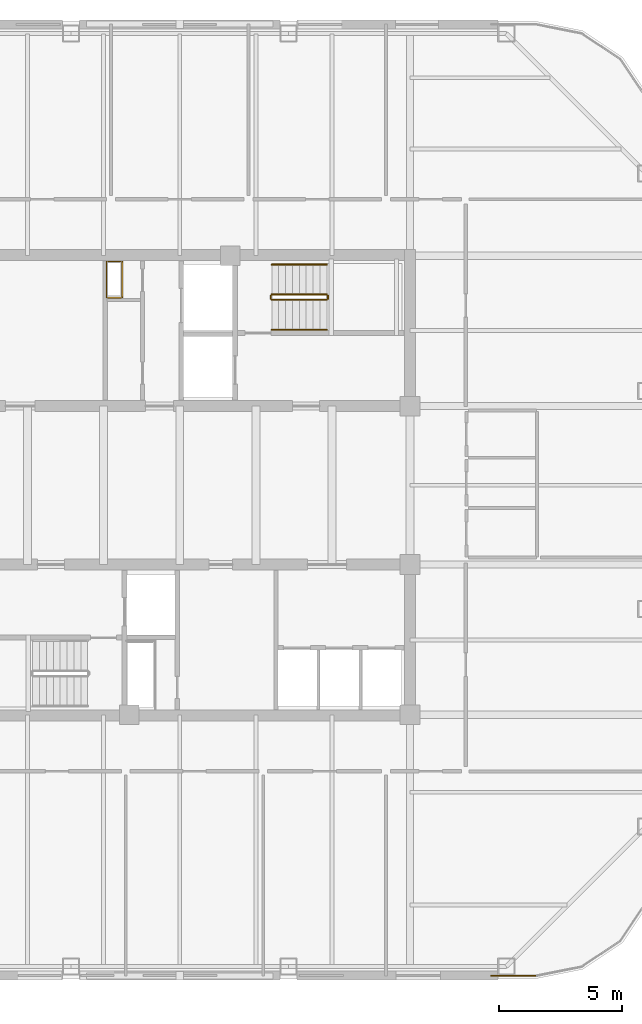
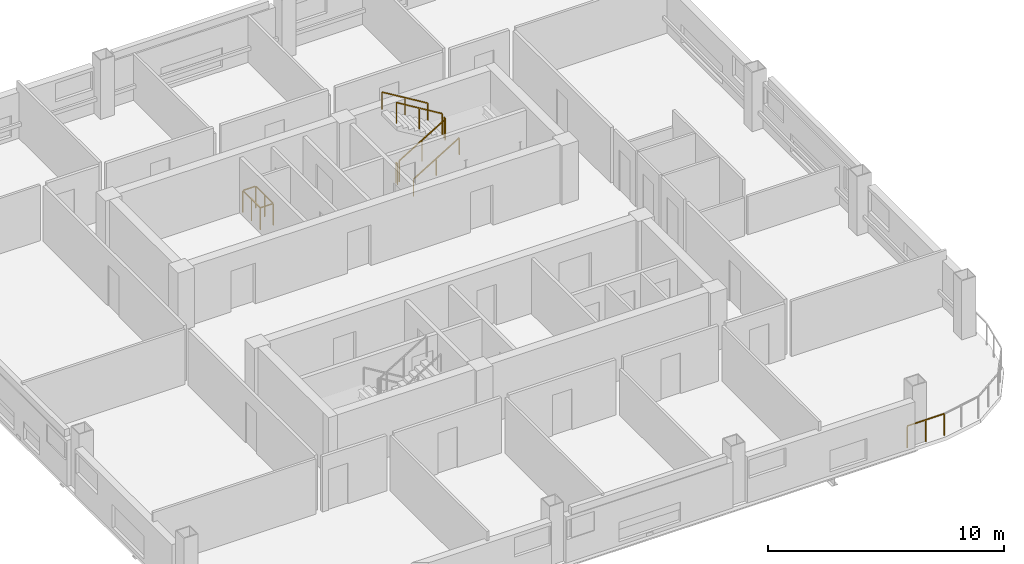
# One storey, part 7 of 8: 8 railings.
"""IFC4 building model written with IfcOpenShell, lengths in metres."""

from ifc_helpers import new_model, si_unit, direction, frame, origin, origin_2d, place, context, subcontext, project, spatial, rectangle, extrude, material, type_object, element, save


model = new_model("IFC4")

# Units and contexts
model_context = context("Model", 3, precision=1e-05, world=origin(), true_north=direction((0.0, 1.0)))
body_context = subcontext(model_context, "Body", "Model", "MODEL_VIEW")
ifc_project = project(units=[si_unit("LENGTHUNIT", "METRE"), si_unit("AREAUNIT", "SQUARE_METRE"), si_unit("VOLUMEUNIT", "CUBIC_METRE"), si_unit("PLANEANGLEUNIT", "RADIAN"), si_unit("MASSUNIT", "GRAM", prefix="KILO")], contexts=[model_context])

# Site, building, storey
site_placement = place(None, origin())
site = spatial("IfcSite", under=ifc_project, at=site_placement, CompositionType="ELEMENT")
building_placement = place(site_placement, origin())
building = spatial("IfcBuilding", under=site, at=building_placement, Name="Qhalaya Broadcast Tower", CompositionType="ELEMENT")
storey_placement = place(building_placement, frame((0.0, 0.0, 208.64990234375)))
storey = spatial("IfcBuildingStorey", under=building, at=storey_placement, Name="L61", CompositionType="ELEMENT", Elevation=208.64990234375)

# Railings
ifc_material = material(Name="Powder-Coated Galvanised Steel", Category="steel")
railing_type_1 = type_object("IfcRailingType", Name="Stair Wall Handrail 900", PredefinedType="HANDRAIL", material=ifc_material)
railing_1_placement = place(storey_placement, frame((3.75, 6.929931640625, 0.16943359375)))
element("IfcRailing", 1, at=railing_1_placement, inside=storey, type_object=railing_type_1, Name="L61 ST-1 Stair Handrail 1", PredefinedType="HANDRAIL", context=body_context, shape_type="SweptSolid", body=[
    extrude(rectangle(XDim=0.048095703125, YDim=0.048095703125, at=origin_2d()), frame((0.0, 0.0, 0.8759765625), z_axis=(0.855512035549, 0.0, 0.517782924622), x_axis=(0.0, 1.0, 0.0)), (0.0, 0.0, 1.0), 2.618408203125),
    extrude(rectangle(XDim=0.0419921875, YDim=0.0419921875, at=origin_2d()), origin(), (0.0, 0.0, 1.0), 0.849853515625),
    extrude(rectangle(XDim=0.0419921875, YDim=0.0419921875, at=origin_2d()), frame((1.1201171875, 0.0, 0.677734375)), (0.0, 0.0, 1.0), 0.849853515625),
    extrude(rectangle(XDim=0.0419921875, YDim=0.0419921875, at=origin_2d()), frame((2.239990234375, 0.0, 1.355712890625)), (0.0, 0.0, 1.0), 0.849853515625),
])
railing_2_placement = place(storey_placement, frame((5.989990234375, 9.590087890625, 1.694580078125)))
element("IfcRailing", 2, at=railing_2_placement, inside=storey, type_object=railing_type_1, Name="L61 ST-1 Stair Handrail 2", PredefinedType="HANDRAIL", context=body_context, shape_type="SweptSolid", body=[
    extrude(rectangle(XDim=0.048095703125, YDim=0.048095703125, at=origin_2d()), frame((0.0, 0.0, 0.8759765625), z_axis=(-0.855553338991, 0.0, 0.51771467445), x_axis=(0.0, -1.0, 0.0)), (0.0, 0.0, 1.0), 2.6181640625),
    extrude(rectangle(XDim=0.0419921875, YDim=0.0419921875, at=origin_2d()), origin(), (0.0, 0.0, 1.0), 0.849853515625),
    extrude(rectangle(XDim=0.0419921875, YDim=0.0419921875, at=origin_2d()), frame((-1.1201171875, 0.0, 0.677734375)), (0.0, 0.0, 1.0), 0.849853515625),
    extrude(rectangle(XDim=0.0419921875, YDim=0.0419921875, at=origin_2d()), frame((-2.239990234375, 0.0, 1.35546875)), (0.0, 0.0, 1.0), 0.849853515625),
])
railing_type_2 = type_object("IfcRailingType", Name="Stair Well & Landing Guardrail 1100", PredefinedType="GUARDRAIL", material=ifc_material)
railing_3_placement = place(storey_placement, frame((-2.340087890625, 8.239990234375, 0.0)))
element("IfcRailing", 3, at=railing_3_placement, inside=storey, type_object=railing_type_2, Name="L61 Service Riser Opening Safety Guard NRSR", PredefinedType="GUARDRAIL", context=body_context, shape_type="SweptSolid", body=[
    extrude(rectangle(XDim=0.048095703125, YDim=0.048095703125, at=origin_2d()), frame((0.0, 0.02880859375, 1.1259765625), z_axis=(0.0, 1.0, 0.0), x_axis=(-1.0, 0.0, 0.0)), (0.0, 0.0, 1.0), 1.42236328125),
    extrude(rectangle(XDim=0.048095703125, YDim=0.048095703125, at=origin_2d()), frame((-0.02880859375, 1.47998046875, 1.1259765625), z_axis=(-1.0, 0.0, 0.0), x_axis=(0.0, -1.0, 0.0)), (0.0, 0.0, 1.0), 0.582275390625),
    extrude(rectangle(XDim=0.048095703125, YDim=0.048095703125, at=origin_2d()), frame((-0.639892578125, 1.451171875, 1.1259765625), z_axis=(0.0, -1.0, 0.0), x_axis=(1.0, 0.0, 0.0)), (0.0, 0.0, 1.0), 1.42236328125),
    extrude(rectangle(XDim=0.048095703125, YDim=0.048095703125, at=origin_2d()), frame((-0.611083984375, 0.0, 1.1259765625), z_axis=(1.0, 0.0, 0.0), x_axis=(0.0, 1.0, 0.0)), (0.0, 0.0, 1.0), 0.582275390625),
    extrude(rectangle(XDim=0.0419921875, YDim=0.0419921875, at=origin_2d()), origin(), (0.0, 0.0, 1.0), 1.099853515625),
    extrude(rectangle(XDim=0.0419921875, YDim=0.0419921875, at=origin_2d()), frame((0.0, 0.739990234375, 0.0)), (0.0, 0.0, 1.0), 1.099853515625),
    extrude(rectangle(XDim=0.0419921875, YDim=0.0419921875, at=origin_2d()), frame((0.0, 1.47998046875, 0.0)), (0.0, 0.0, 1.0), 1.099853515625),
    extrude(rectangle(XDim=0.0419921875, YDim=0.0419921875, at=origin_2d()), frame((-0.639892578125, 1.47998046875, 0.0)), (0.0, 0.0, 1.0), 1.099853515625),
    extrude(rectangle(XDim=0.0419921875, YDim=0.0419921875, at=origin_2d()), frame((-0.639892578125, 0.739990234375, 0.0)), (0.0, 0.0, 1.0), 1.099853515625),
    extrude(rectangle(XDim=0.0419921875, YDim=0.0419921875, at=origin_2d()), frame((-0.639892578125, 0.0, 0.0)), (0.0, 0.0, 1.0), 1.099853515625),
])
railing_4_placement = place(storey_placement, frame((3.75, 8.14990234375, 0.16943359375)))
element("IfcRailing", 4, at=railing_4_placement, inside=storey, type_object=railing_type_2, Name="L61 ST-1 Stair Guard 1", PredefinedType="GUARDRAIL", context=body_context, shape_type="SweptSolid", body=[
    extrude(rectangle(XDim=0.048095703125, YDim=0.048095703125, at=origin_2d()), frame((0.0, 0.0, 1.076171875), z_axis=(0.855512035549, 0.0, 0.517782924622), x_axis=(0.0, 1.0, 0.0)), (0.0, 0.0, 1.0), 2.618408203125),
    extrude(rectangle(XDim=0.0419921875, YDim=0.0419921875, at=origin_2d()), origin(), (0.0, 0.0, 1.0), 1.050048828125),
    extrude(rectangle(XDim=0.0419921875, YDim=0.0419921875, at=origin_2d()), frame((1.1201171875, 0.0, 0.677734375)), (0.0, 0.0, 1.0), 1.050048828125),
    extrude(rectangle(XDim=0.0419921875, YDim=0.0419921875, at=origin_2d()), frame((2.239990234375, 0.0, 1.355712890625)), (0.0, 0.0, 1.0), 1.050048828125),
])
railing_5_placement = place(storey_placement, frame((6.0400390625, 8.199951171875, 1.525146484375)))
element("IfcRailing", 5, at=railing_5_placement, inside=storey, type_object=railing_type_2, Name="L61 ST-1 Stair Guard 2", PredefinedType="GUARDRAIL", context=body_context, shape_type="SweptSolid", body=[
    extrude(rectangle(XDim=0.048095703125, YDim=0.048095703125, at=origin_2d()), frame((0.0, 0.0, 1.076171875), z_axis=(0.0, 1.0, 0.0), x_axis=(-1.0, 0.0, 0.0)), (0.0, 0.0, 1.0), 0.1201171875),
    extrude(rectangle(XDim=0.0419921875, YDim=0.0419921875, at=origin_2d()), origin(), (0.0, 0.0, 1.0), 1.050048828125),
    extrude(rectangle(XDim=0.0419921875, YDim=0.0419921875, at=origin_2d()), frame((0.0, 0.1201171875, 0.0)), (0.0, 0.0, 1.0), 1.050048828125),
])
railing_6_placement = place(storey_placement, frame((5.989990234375, 8.3701171875, 1.694580078125)))
element("IfcRailing", 6, at=railing_6_placement, inside=storey, type_object=railing_type_2, Name="L61 ST-1 Stair Guard 3", PredefinedType="GUARDRAIL", context=body_context, shape_type="SweptSolid", body=[
    extrude(rectangle(XDim=0.048095703125, YDim=0.048095703125, at=origin_2d()), frame((0.0, 0.0, 1.076171875), z_axis=(-0.855553338991, 0.0, 0.51771467445), x_axis=(0.0, -1.0, 0.0)), (0.0, 0.0, 1.0), 2.6181640625),
    extrude(rectangle(XDim=0.0419921875, YDim=0.0419921875, at=origin_2d()), origin(), (0.0, 0.0, 1.0), 1.050048828125),
    extrude(rectangle(XDim=0.0419921875, YDim=0.0419921875, at=origin_2d()), frame((-1.1201171875, 0.0, 0.677734375)), (0.0, 0.0, 1.0), 1.050048828125),
    extrude(rectangle(XDim=0.0419921875, YDim=0.0419921875, at=origin_2d()), frame((-2.239990234375, 0.0, 1.35546875)), (0.0, 0.0, 1.0), 1.050048828125),
])
railing_7_placement = place(storey_placement, frame((3.699951171875, 8.199951171875, 0.0)))
element("IfcRailing", 7, at=railing_7_placement, inside=storey, type_object=railing_type_2, Name="L61 ST-1 Stair Guard 4", PredefinedType="GUARDRAIL", context=body_context, shape_type="SweptSolid", body=[
    extrude(rectangle(XDim=0.048095703125, YDim=0.048095703125, at=origin_2d()), frame((0.0, 0.0, 1.076171875), z_axis=(0.0, 1.0, 0.0), x_axis=(-1.0, 0.0, 0.0)), (0.0, 0.0, 1.0), 0.1201171875),
    extrude(rectangle(XDim=0.0419921875, YDim=0.0419921875, at=origin_2d()), origin(), (0.0, 0.0, 1.0), 1.050048828125),
    extrude(rectangle(XDim=0.0419921875, YDim=0.0419921875, at=origin_2d()), frame((0.0, 0.1201171875, 0.0)), (0.0, 0.0, 1.0), 1.050048828125),
])
railing_type_3 = type_object("IfcRailingType", Name="Terrace, Sky-Pool & Lookout Glass Balustrade 1150", PredefinedType="BALUSTRADE", material=ifc_material)
railing_8_placement = place(storey_placement, frame((14.48828125, -19.3798828125, 0.0)))
element("IfcRailing", 8, at=railing_8_placement, inside=storey, type_object=railing_type_3, Name="L61 Rounded Corner Perimeter Guard 01", PredefinedType="BALUSTRADE", context=body_context, shape_type="SweptSolid", body=[
    extrude(rectangle(XDim=0.048095703125, YDim=0.048095703125, at=origin_2d()), frame((0.0, 0.0, 1.1259765625), z_axis=(-1.0, 0.0, 0.0), x_axis=(0.0, -1.0, 0.0)), (0.0, 0.0, 1.0), 1.806396484375),
    extrude(rectangle(XDim=0.0419921875, YDim=0.0419921875, at=origin_2d()), origin(), (0.0, 0.0, 1.0), 1.099853515625),
    extrude(rectangle(XDim=0.0419921875, YDim=0.0419921875, at=origin_2d()), frame((-0.9033203125, 0.0, 0.0)), (0.0, 0.0, 1.0), 1.099853515625),
    extrude(rectangle(XDim=0.0419921875, YDim=0.0419921875, at=origin_2d()), frame((-1.806396484375, 0.0, 0.0)), (0.0, 0.0, 1.0), 1.099853515625),
])

save(model, "model.ifc")
